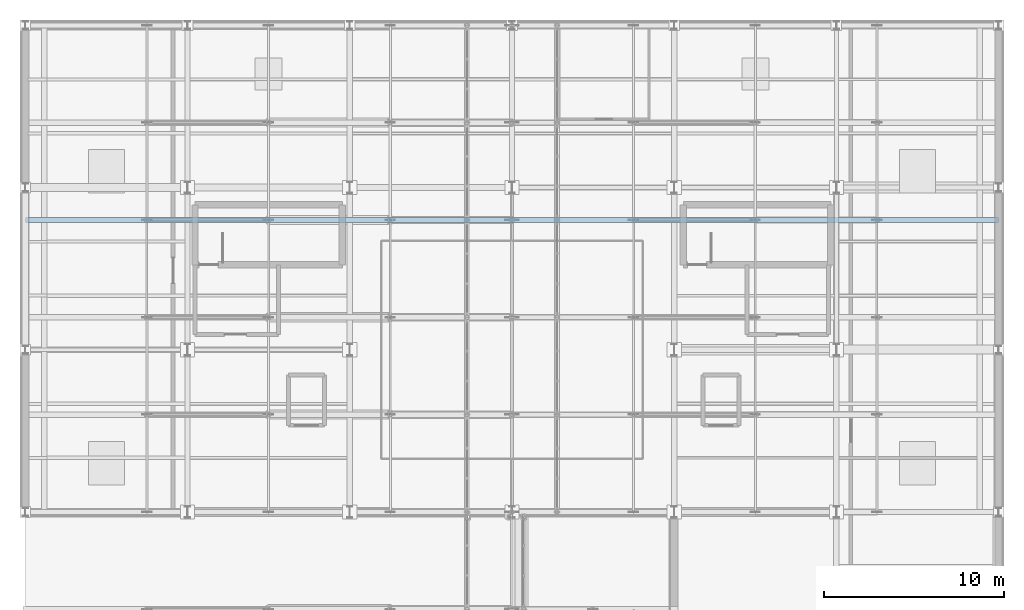
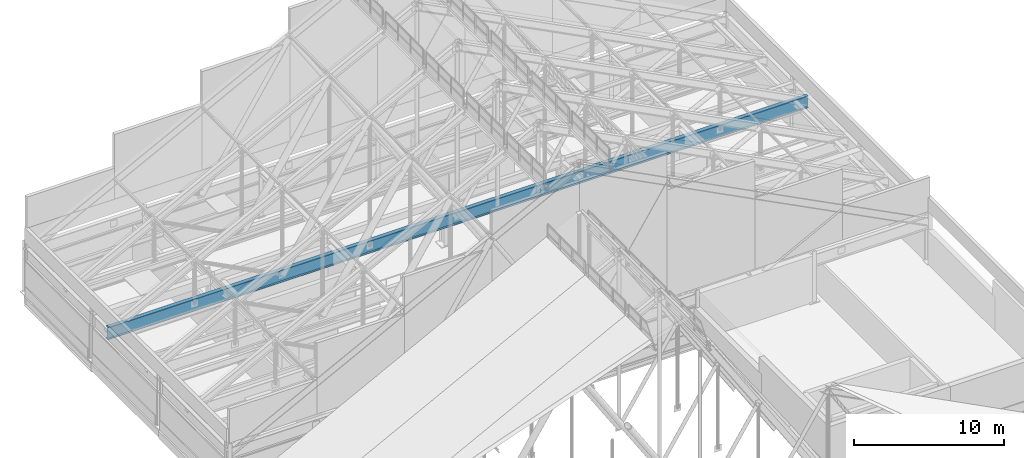
# One storey, part 48 of 84: 1 beam.
"""IFC4 building model written with IfcOpenShell, lengths in metres."""

from ifc_helpers import new_model, si_unit, direction, frame, origin, origin_2d, place, context, subcontext, project, spatial, i_section, extrude, material, material_profile, profile_set, type_object, element, save


model = new_model("IFC4")

# Units and contexts
model_context = context("Model", 3, precision=1e-05, world=origin(), true_north=direction((0.0, 1.0)))
body_context = subcontext(model_context, "Body", "Model", "MODEL_VIEW")
ifc_project = project(units=[si_unit("LENGTHUNIT", "METRE"), si_unit("AREAUNIT", "SQUARE_METRE"), si_unit("VOLUMEUNIT", "CUBIC_METRE"), si_unit("PLANEANGLEUNIT", "RADIAN"), si_unit("MASSUNIT", "GRAM", prefix="KILO")], contexts=[model_context])

# Site, building, storey
site_placement = place(None, origin())
site = spatial("IfcSite", under=ifc_project, at=site_placement, CompositionType="ELEMENT")
building_placement = place(site_placement, origin())
building = spatial("IfcBuilding", under=site, at=building_placement, Name="Sundgate Opera House", CompositionType="ELEMENT")
storey_placement = place(building_placement, frame((0.0, 0.0, 30.60009765625)))
storey = spatial("IfcBuildingStorey", under=building, at=storey_placement, Name="L06", CompositionType="ELEMENT", Elevation=30.60009765625)

# Beam
ifc_material = material(Name="Steel S355ML", Category="steel")
ifc_material_profile = material_profile(ifc_material, i_section(OverallWidth=0.300048828125, OverallDepth=1.0, WebThickness=0.01904296875, FlangeThickness=0.035888671875, at=origin_2d()), Name="HEB 1000")
ifc_profile_set = profile_set([ifc_material_profile], Name="Steel S355ML")
beam_type = type_object("IfcBeamType", Name="BM-TR-HEB1000", PredefinedType="BEAM", material=ifc_profile_set)
beam_placement = place(storey_placement, frame((27.0, 76.199951171875, 3.289794921875), z_axis=(1.0, 0.0, 0.0), x_axis=(0.0, 1.0, 0.0)))
element("IfcBeam", 1, at=beam_placement, inside=storey, type_object=beam_type, Name="L06 Fly-Tower Truss Continuous Tie Girder B3389", PredefinedType="BEAM", context=body_context, shape_type="SweptSolid", body=[
    extrude(i_section(OverallWidth=0.300048828125, OverallDepth=1.0, WebThickness=0.01904296875, FlangeThickness=0.035888671875, at=origin_2d()), origin(), (0.0, 0.0, 1.0), 54.0),
])

save(model, "model.ifc")
